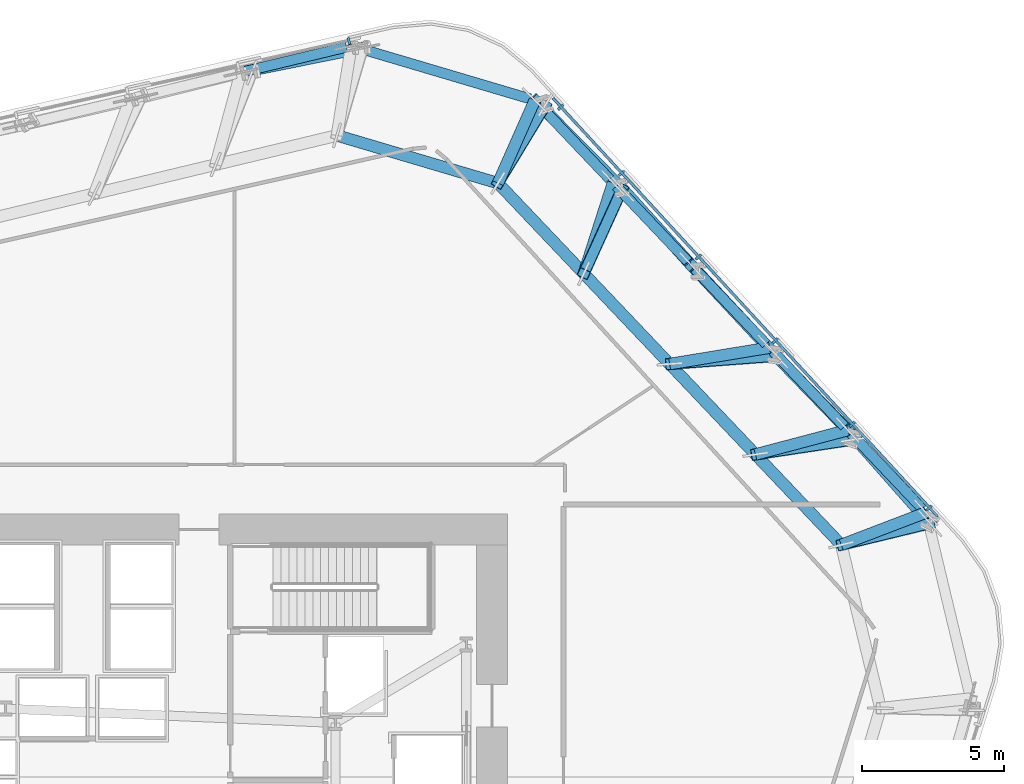
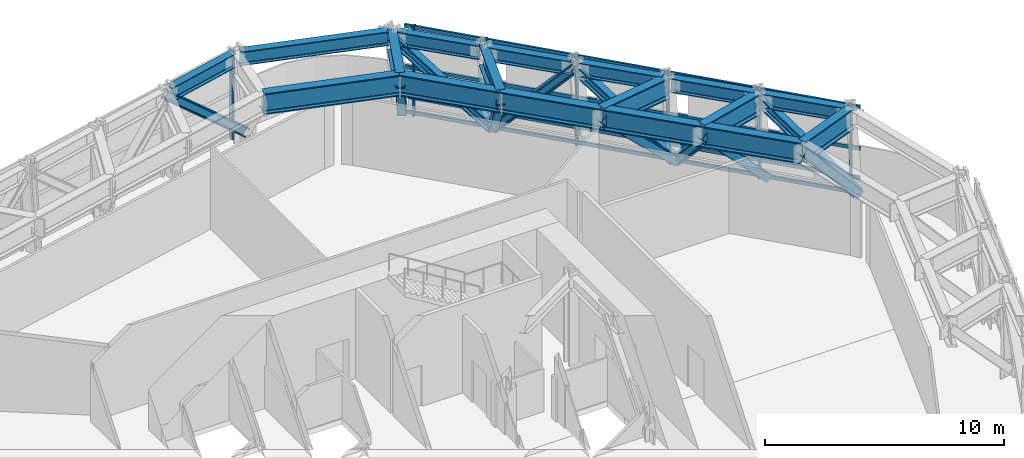
# One storey, part 6 of 16: 22 members, 17 beams, 2 elements without a shape of their own.
"""IFC4 building model written with IfcOpenShell, lengths in metres."""

from ifc_helpers import new_model, si_unit, direction, frame, origin, origin_2d, place, context, subcontext, project, spatial, rectangle, hollow_rectangle, i_section, extrude, material, layer, layer_set, material_profile, profile_set, type_object, element, aggregate, save


model = new_model("IFC4")

# Units and contexts
model_context = context("Model", 3, precision=1e-05, world=origin(), true_north=direction((0.0, 1.0)))
body_context = subcontext(model_context, "Body", "Model", "MODEL_VIEW")
ifc_project = project(units=[si_unit("LENGTHUNIT", "METRE"), si_unit("AREAUNIT", "SQUARE_METRE"), si_unit("VOLUMEUNIT", "CUBIC_METRE"), si_unit("PLANEANGLEUNIT", "RADIAN"), si_unit("MASSUNIT", "GRAM", prefix="KILO")], contexts=[model_context])

# Site, building, storey
site_placement = place(None, origin())
site = spatial("IfcSite", under=ifc_project, at=site_placement, CompositionType="ELEMENT")
building_placement = place(site_placement, origin())
building = spatial("IfcBuilding", under=site, at=building_placement, Name="Valkerne Bourse Tower", CompositionType="ELEMENT")
storey_placement = place(building_placement, frame((0.0, 0.0, 77.199951171875)))
storey = spatial("IfcBuildingStorey", under=building, at=storey_placement, Name="L19", CompositionType="ELEMENT", Elevation=77.199951171875)

# Beams
ifc_material_1 = material(Name="Steel ASTM A992", Category="steel")
ifc_material_profile_1 = material_profile(ifc_material_1, i_section(OverallWidth=0.358154296875, OverallDepth=0.7060546875, WebThickness=0.018310546875, FlangeThickness=0.0302734375, FilletRadius=0.02294921875, at=origin_2d()), Name="W27X178")
ifc_profile_set_1 = profile_set([ifc_material_profile_1], Name="Steel ASTM A992")
beam_type_1 = type_object("IfcBeamType", Name="BM-W27X178", PredefinedType="SPANDREL", material=ifc_profile_set_1)
for number, where, z_axis, x_axis, name in (
    (1, (70.991943359375, 36.41943359375, 4.22705078125), (-0.688333420598, 0.725394445863, 0.0), (-0.725394445863, -0.688333420598, 0.0), "L19 Hexagonal Spandrel Ring Beam 00"),
    (2, (68.2412109375, 39.318115234375, 4.22705078125), (-0.688333420598, 0.725394445863, 0.0), (-0.725394445863, -0.688333420598, 0.0), "L19 Hexagonal Spandrel Ring Beam 01"),
    (3, (65.49072265625, 42.216796875, 4.22705078125), (-0.688366763937, 0.725362804607, 0.0), (-0.725362804607, -0.688366763937, 0.0), "L19 Hexagonal Spandrel Ring Beam 02"),
    (4, (62.739990234375, 45.115234375, 4.22705078125), (-0.688333420598, 0.725394445863, 0.0), (-0.725394445863, -0.688333420598, 0.0), "L19 Hexagonal Spandrel Ring Beam 03"),
    (5, (59.9892578125, 48.013916015625, 4.22705078125), (-0.688333420598, 0.725394445863, 0.0), (-0.725394445863, -0.688333420598, 0.0), "L19 Hexagonal Spandrel Ring Beam 04"),
):
    element("IfcBeam", number, at=place(storey_placement, frame(where, z_axis=z_axis, x_axis=x_axis)), inside=storey, type_object=beam_type_1, Name=name, PredefinedType="SPANDREL", context=body_context, shape_type="SweptSolid", body=[
        extrude(i_section(OverallWidth=0.358154296875, OverallDepth=0.7060546875, WebThickness=0.018310546875, FlangeThickness=0.0302734375, FilletRadius=0.02294921875, at=origin_2d()), origin(), (0.0, 0.0, 1.0), 3.656005859375),
    ])
beam_1_placement = place(storey_placement, frame((57.192626953125, 50.83740234375, 4.22705078125), z_axis=(-0.958812375265, 0.284040189125, 0.0), x_axis=(-0.284040189125, -0.958812375265, 0.0)))
element("IfcBeam", 6, at=beam_1_placement, inside=storey, type_object=beam_type_1, Name="L19 Hexagonal Spandrel Ring Beam 05", PredefinedType="SPANDREL", context=body_context, shape_type="SweptSolid", body=[
    extrude(i_section(OverallWidth=0.358154296875, OverallDepth=0.7060546875, WebThickness=0.018310546875, FlangeThickness=0.0302734375, FilletRadius=0.02294921875, at=origin_2d()), origin(), (0.0, 0.0, 1.0), 6.388916015625),
])
beam_2_placement = place(storey_placement, frame((50.738525390625, 52.66064453125, 4.22705078125), z_axis=(-0.972366688683, -0.233458824506, 0.0), x_axis=(0.233458824506, -0.972366688683, 0.0)))
element("IfcBeam", 7, at=beam_2_placement, inside=storey, type_object=beam_type_1, Name="L19 Hexagonal Spandrel Ring Beam 06", PredefinedType="SPANDREL", context=body_context, shape_type="SweptSolid", body=[
    extrude(i_section(OverallWidth=0.358154296875, OverallDepth=0.7060546875, WebThickness=0.018310546875, FlangeThickness=0.0302734375, FilletRadius=0.02294921875, at=origin_2d()), origin(), (0.0, 0.0, 1.0), 3.656005859375),
])
ifc_material_2 = material(Name="Steel ASTM A913 Grade 65", Category="steel")
ifc_material_profile_2 = material_profile(ifc_material_2, i_section(OverallWidth=0.408935546875, OverallDepth=1.06689453125, WebThickness=0.031005859375, FlangeThickness=0.055908203125, FilletRadius=0.030517578125, at=origin_2d()), Name="W40X397")
ifc_profile_set_2 = profile_set([ifc_material_profile_2], Name="Steel ASTM A913 Grade 65")
beam_type_2 = type_object("IfcBeamType", Name="BM-W40X397", PredefinedType="BEAM", material=ifc_profile_set_2)
beam_3_placement = place(storey_placement, frame((71.10888671875, 36.296142578125, 4.046630859375), z_axis=(-0.934034555736, -0.357182654522, 0.0), x_axis=(0.357182654522, -0.934034555736, 0.0)))
element("IfcBeam", 8, at=beam_3_placement, inside=storey, type_object=beam_type_2, Name="L19 Radial Setback Transfer Girder Out 00", PredefinedType="BEAM", context=body_context, shape_type="SweptSolid", body=[
    extrude(i_section(OverallWidth=0.408935546875, OverallDepth=1.06689453125, WebThickness=0.031005859375, FlangeThickness=0.055908203125, FilletRadius=0.030517578125, at=origin_2d()), origin(), (0.0, 0.0, 1.0), 3.188720703125),
])
beam_4_placement = place(storey_placement, frame((68.130615234375, 35.1572265625, 4.046630859375), z_axis=(-0.688371674661, 0.725358144315, 0.0), x_axis=(-0.725358144315, -0.688371674661, 0.0)))
element("IfcBeam", 9, at=beam_4_placement, inside=storey, type_object=beam_type_2, Name="L19 Setback Ring Transfer Girder 00", PredefinedType="BEAM", context=body_context, shape_type="SweptSolid", body=[
    extrude(i_section(OverallWidth=0.408935546875, OverallDepth=1.06689453125, WebThickness=0.031005859375, FlangeThickness=0.055908203125, FilletRadius=0.030517578125, at=origin_2d()), origin(), (0.0, 0.0, 1.0), 4.383056640625),
])
beam_5_placement = place(storey_placement, frame((68.3583984375, 39.19482421875, 4.046630859375), z_axis=(-0.966744906892, -0.255742614749, 0.0), x_axis=(0.255742614749, -0.966744906892, 0.0)))
element("IfcBeam", 10, at=beam_5_placement, inside=storey, type_object=beam_type_2, Name="L19 Radial Setback Transfer Girder Out 01", PredefinedType="BEAM", context=body_context, shape_type="SweptSolid", body=[
    extrude(i_section(OverallWidth=0.408935546875, OverallDepth=1.06689453125, WebThickness=0.031005859375, FlangeThickness=0.055908203125, FilletRadius=0.030517578125, at=origin_2d()), origin(), (0.0, 0.0, 1.0), 3.3564453125),
])
beam_6_placement = place(storey_placement, frame((65.113525390625, 38.33642578125, 4.046630859375), z_axis=(-0.688343862122, 0.725384537661, 0.0), x_axis=(-0.725384537661, -0.688343862122, 0.0)))
element("IfcBeam", 11, at=beam_6_placement, inside=storey, type_object=beam_type_2, Name="L19 Setback Ring Transfer Girder 01", PredefinedType="BEAM", context=body_context, shape_type="SweptSolid", body=[
    extrude(i_section(OverallWidth=0.408935546875, OverallDepth=1.06689453125, WebThickness=0.031005859375, FlangeThickness=0.055908203125, FilletRadius=0.030517578125, at=origin_2d()), origin(), (0.0, 0.0, 1.0), 4.383056640625),
])
beam_7_placement = place(storey_placement, frame((65.607666015625, 42.093505859375, 4.046630859375), z_axis=(-0.986736653088, -0.162329225505, 0.0), x_axis=(0.162329225505, -0.986736653088, 0.0)))
element("IfcBeam", 12, at=beam_7_placement, inside=storey, type_object=beam_type_2, Name="L19 Radial Setback Transfer Girder Out 02", PredefinedType="BEAM", context=body_context, shape_type="SweptSolid", body=[
    extrude(i_section(OverallWidth=0.408935546875, OverallDepth=1.06689453125, WebThickness=0.031005859375, FlangeThickness=0.055908203125, FilletRadius=0.030517578125, at=origin_2d()), origin(), (0.0, 0.0, 1.0), 3.558349609375),
])
beam_8_placement = place(storey_placement, frame((62.096435546875, 41.515869140625, 4.046630859375), z_axis=(-0.688371674661, 0.725358144315, 0.0), x_axis=(-0.725358144315, -0.688371674661, 0.0)))
element("IfcBeam", 13, at=beam_8_placement, inside=storey, type_object=beam_type_2, Name="L19 Setback Ring Transfer Girder 02", PredefinedType="BEAM", context=body_context, shape_type="SweptSolid", body=[
    extrude(i_section(OverallWidth=0.408935546875, OverallDepth=1.06689453125, WebThickness=0.031005859375, FlangeThickness=0.055908203125, FilletRadius=0.030517578125, at=origin_2d()), origin(), (0.0, 0.0, 1.0), 4.383056640625),
])
beam_9_placement = place(storey_placement, frame((60.106201171875, 47.890625, 4.046630859375), z_axis=(-0.305931481229, -0.952053532525, 0.0), x_axis=(0.952053532525, -0.305931481229, 0.0)))
element("IfcBeam", 14, at=beam_9_placement, inside=storey, type_object=beam_type_2, Name="L19 Radial Setback Transfer Girder Out 03", PredefinedType="BEAM", context=body_context, shape_type="SweptSolid", body=[
    extrude(i_section(OverallWidth=0.408935546875, OverallDepth=1.06689453125, WebThickness=0.031005859375, FlangeThickness=0.055908203125, FilletRadius=0.030517578125, at=origin_2d()), origin(), (0.0, 0.0, 1.0), 3.3564453125),
])
beam_10_placement = place(storey_placement, frame((59.079345703125, 44.695068359375, 4.046630859375), z_axis=(-0.68831455192, 0.725412350057, 0.0), x_axis=(-0.725412350057, -0.68831455192, 0.0)))
element("IfcBeam", 15, at=beam_10_placement, inside=storey, type_object=beam_type_2, Name="L19 Setback Ring Transfer Girder 03", PredefinedType="BEAM", context=body_context, shape_type="SweptSolid", body=[
    extrude(i_section(OverallWidth=0.408935546875, OverallDepth=1.06689453125, WebThickness=0.031005859375, FlangeThickness=0.055908203125, FilletRadius=0.030517578125, at=origin_2d()), origin(), (0.0, 0.0, 1.0), 4.383056640625),
])
beam_11_placement = place(storey_placement, frame((57.355712890625, 50.789306640625, 4.046630859375), z_axis=(-0.405548775387, -0.914073405577, 0.0), x_axis=(0.914073405577, -0.405548775387, 0.0)))
element("IfcBeam", 16, at=beam_11_placement, inside=storey, type_object=beam_type_2, Name="L19 Radial Setback Transfer Girder Out 04", PredefinedType="BEAM", context=body_context, shape_type="SweptSolid", body=[
    extrude(i_section(OverallWidth=0.408935546875, OverallDepth=1.06689453125, WebThickness=0.031005859375, FlangeThickness=0.055908203125, FilletRadius=0.030517578125, at=origin_2d()), origin(), (0.0, 0.0, 1.0), 3.188720703125),
])
beam_12_placement = place(storey_placement, frame((56.0625, 47.87451171875, 4.046630859375), z_axis=(-0.958821884806, 0.284008086534, 0.0), x_axis=(-0.284008086534, -0.958821884806, 0.0)))
element("IfcBeam", 17, at=beam_12_placement, inside=storey, type_object=beam_type_2, Name="L19 Setback Ring Transfer Girder 04", PredefinedType="BEAM", context=body_context, shape_type="SweptSolid", body=[
    extrude(i_section(OverallWidth=0.408935546875, OverallDepth=1.06689453125, WebThickness=0.031005859375, FlangeThickness=0.055908203125, FilletRadius=0.030517578125, at=origin_2d()), origin(), (0.0, 0.0, 1.0), 5.90478515625),
])

# Curtain wall, members
ifc_material_3 = material(Name="Aluminium AA 6063-T6", Category="aluminium")
ifc_layer = layer(ifc_material_3, 0.25)
ifc_layer_set = layer_set([ifc_layer], Name="Aluminium AA 6063-T6")
curtain_wall_type = type_object("IfcCurtainWallType", Name="CW-06", PredefinedType="NOTDEFINED", material=ifc_layer_set)
curtain_wall_1_placement = place(storey_placement, origin())
curtain_wall_1 = element("IfcCurtainWall", 18, at=curtain_wall_1_placement, inside=storey, type_object=curtain_wall_type, Name="L19 Hexagonal Stick Curtain Wall Face 1", PredefinedType="NOTDEFINED")
ifc_material_profile_3 = material_profile(ifc_material_3, rectangle(XDim=0.090087890625, YDim=0.239990234375, at=origin_2d()), Name="CWM-90X240")
ifc_profile_set_3 = profile_set([ifc_material_profile_3], Name="Aluminium AA 6063-T6")
member_type_1 = type_object("IfcMemberType", Name="CW-MUL-240X90", PredefinedType="MULLION", material=ifc_profile_set_3)
member_1_placement = place(storey_placement, frame((71.218017578125, 36.452392578125, 0.0), z_axis=(0.0, 0.0, 1.0), x_axis=(-0.676869473873, 0.73610306027, 0.0)))
member_1 = element("IfcMember", 19, at=member_1_placement, type_object=member_type_1, Name="CW-L19-F1 Jamb Mullion 00A", PredefinedType="MULLION", context=body_context, shape_type="SweptSolid", body=[
    extrude(rectangle(XDim=0.090087890625, YDim=0.239990234375, at=origin_2d()), origin(), (0.0, 0.0, 1.0), 4.580078125),
])
member_2_placement = place(storey_placement, frame((68.51318359375, 39.39404296875, 0.0), z_axis=(0.0, 0.0, 1.0), x_axis=(-0.676881942481, 0.736091594805, 0.0)))
member_2 = element("IfcMember", 20, at=member_2_placement, type_object=member_type_1, Name="CW-L19-F1 Jamb Mullion 01A", PredefinedType="MULLION", context=body_context, shape_type="SweptSolid", body=[
    extrude(rectangle(XDim=0.090087890625, YDim=0.239990234375, at=origin_2d()), origin(), (0.0, 0.0, 1.0), 4.580078125),
])
member_3_placement = place(storey_placement, frame((65.808349609375, 42.33544921875, 0.0), z_axis=(0.0, 0.0, 1.0), x_axis=(-0.676881942481, 0.736091594805, 0.0)))
member_3 = element("IfcMember", 21, at=member_3_placement, type_object=member_type_1, Name="CW-L19-F1 Jamb Mullion 02A", PredefinedType="MULLION", context=body_context, shape_type="SweptSolid", body=[
    extrude(rectangle(XDim=0.090087890625, YDim=0.239990234375, at=origin_2d()), origin(), (0.0, 0.0, 1.0), 4.580078125),
])
member_4_placement = place(storey_placement, frame((63.103515625, 45.27685546875, 0.0), z_axis=(0.0, 0.0, 1.0), x_axis=(-0.676869473873, 0.73610306027, 0.0)))
member_4 = element("IfcMember", 22, at=member_4_placement, type_object=member_type_1, Name="CW-L19-F1 Jamb Mullion 03A", PredefinedType="MULLION", context=body_context, shape_type="SweptSolid", body=[
    extrude(rectangle(XDim=0.090087890625, YDim=0.239990234375, at=origin_2d()), origin(), (0.0, 0.0, 1.0), 4.580078125),
])
member_5_placement = place(storey_placement, frame((60.398681640625, 48.21826171875, 0.0), z_axis=(0.0, 0.0, 1.0), x_axis=(-0.676881942481, 0.736091594805, 0.0)))
member_5 = element("IfcMember", 23, at=member_5_placement, type_object=member_type_1, Name="CW-L19-F1 Jamb Mullion 04A", PredefinedType="MULLION", context=body_context, shape_type="SweptSolid", body=[
    extrude(rectangle(XDim=0.090087890625, YDim=0.239990234375, at=origin_2d()), origin(), (0.0, 0.0, 1.0), 4.580078125),
])
member_6_placement = place(storey_placement, frame((58.2626953125, 50.54150390625, 0.0), z_axis=(0.0, 0.0, 1.0), x_axis=(-0.676881942481, 0.736091594805, 0.0)))
member_6 = element("IfcMember", 24, at=member_6_placement, type_object=member_type_1, Name="CW-L19-F1 Jamb Mullion 04B", PredefinedType="MULLION", context=body_context, shape_type="SweptSolid", body=[
    extrude(rectangle(XDim=0.090087890625, YDim=0.239990234375, at=origin_2d()), origin(), (0.0, 0.0, 1.0), 4.580078125),
])

# Curtain wall, member
curtain_wall_2_placement = place(storey_placement, origin())
curtain_wall_2 = element("IfcCurtainWall", 25, at=curtain_wall_2_placement, inside=storey, type_object=curtain_wall_type, Name="L19 Hexagonal Stick Curtain Wall Face 2", PredefinedType="NOTDEFINED")
member_7_placement = place(storey_placement, frame((50.82275390625, 52.872802734375, 0.0), z_axis=(0.0, 0.0, 1.0), x_axis=(-0.975916028069, -0.218146524516, 0.0)))
member_7 = element("IfcMember", 26, at=member_7_placement, type_object=member_type_1, Name="CW-L19-F2 Jamb Mullion 00A", PredefinedType="MULLION", context=body_context, shape_type="SweptSolid", body=[
    extrude(rectangle(XDim=0.090087890625, YDim=0.239990234375, at=origin_2d()), origin(), (0.0, 0.0, 1.0), 4.580078125),
])
aggregate(curtain_wall_2, [member_7])

# Member
ifc_material_profile_4 = material_profile(ifc_material_3, rectangle(XDim=0.090087890625, YDim=0.179931640625, at=origin_2d()), Name="CWT-90X180")
ifc_profile_set_4 = profile_set([ifc_material_profile_4], Name="Aluminium AA 6063-T6")
member_type_2 = type_object("IfcMemberType", Name="CW-TRN-180X90", PredefinedType="USERDEFINED", material=ifc_profile_set_4)
member_8_placement = place(storey_placement, frame((71.51708984375, 36.156982421875, 0.1201171875), z_axis=(-0.67688577124, 0.736088074005, 0.0), x_axis=(-0.736088074005, -0.67688577124, 0.0)))
member_8 = element("IfcMember", 27, at=member_8_placement, type_object=member_type_2, Name="CW-L19-F1 Continuous Face Transom 1", ObjectType="TRANSOM", PredefinedType="USERDEFINED", context=body_context, shape_type="SweptSolid", body=[
    extrude(rectangle(XDim=0.090087890625, YDim=0.179931640625, at=origin_2d()), origin(), (0.0, 0.0, 1.0), 19.97998046875),
])

member_9_placement = place(storey_placement, frame((71.51708984375, 36.156982421875, 0.900146484375), z_axis=(-0.67688577124, 0.736088074005, 0.0), x_axis=(-0.736088074005, -0.67688577124, 0.0)))
member_9 = element("IfcMember", 28, at=member_9_placement, type_object=member_type_2, Name="CW-L19-F1 Continuous Face Transom 2", ObjectType="TRANSOM", PredefinedType="USERDEFINED", context=body_context, shape_type="SweptSolid", body=[
    extrude(rectangle(XDim=0.090087890625, YDim=0.179931640625, at=origin_2d()), origin(), (0.0, 0.0, 1.0), 19.97998046875),
])

member_10_placement = place(storey_placement, frame((71.51708984375, 36.156982421875, 2.400146484375), z_axis=(-0.67688577124, 0.736088074005, 0.0), x_axis=(-0.736088074005, -0.67688577124, 0.0)))
member_10 = element("IfcMember", 29, at=member_10_placement, type_object=member_type_2, Name="CW-L19-F1 Continuous Face Transom 3", ObjectType="TRANSOM", PredefinedType="USERDEFINED", context=body_context, shape_type="SweptSolid", body=[
    extrude(rectangle(XDim=0.090087890625, YDim=0.179931640625, at=origin_2d()), origin(), (0.0, 0.0, 1.0), 19.97998046875),
])

member_11_placement = place(storey_placement, frame((71.51708984375, 36.156982421875, 4.5), z_axis=(-0.67688577124, 0.736088074005, 0.0), x_axis=(-0.736088074005, -0.67688577124, 0.0)))
member_11 = element("IfcMember", 30, at=member_11_placement, type_object=member_type_2, Name="CW-L19-F1 Continuous Face Transom 4", ObjectType="TRANSOM", PredefinedType="USERDEFINED", context=body_context, shape_type="SweptSolid", body=[
    extrude(rectangle(XDim=0.090087890625, YDim=0.179931640625, at=origin_2d()), origin(), (0.0, 0.0, 1.0), 19.97998046875),
])

aggregate(curtain_wall_1, [member_8, member_9, member_10, member_11, member_1, member_2, member_3, member_4, member_5, member_6])

# Members
ifc_material_4 = material(Name="Steel ASTM A500 Grade C", Category="steel")
ifc_material_profile_5 = material_profile(ifc_material_4, hollow_rectangle(XDim=0.39990234375, YDim=0.39990234375, WallThickness=0.01611328125, OuterFilletRadius=0.031982421875, at=origin_2d()), Name="HSS400X400X16")
ifc_profile_set_5 = profile_set([ifc_material_profile_5], Name="Steel ASTM A500 Grade C")
member_type_3 = type_object("IfcMemberType", Name="MBR-HSS400X400X16", PredefinedType="BRACE", material=ifc_profile_set_5)
member_12_placement = place(storey_placement, frame((71.251953125, 35.9130859375, 0.35009765625), z_axis=(-0.637426919159, -0.154358524968, 0.754890964644), x_axis=(0.23535633389, -0.971909150126, 0.0)))
element("IfcMember", 31, at=member_12_placement, inside=storey, type_object=member_type_3, Name="L19 Setback Outrigger Knee Strut 00", PredefinedType="BRACE", context=body_context, shape_type="SweptSolid", body=[
    extrude(hollow_rectangle(XDim=0.39990234375, YDim=0.39990234375, WallThickness=0.01611328125, OuterFilletRadius=0.031982421875, at=origin_2d()), origin(), (0.0, 0.0, 1.0), 4.896728515625),
])
member_13_placement = place(storey_placement, frame((68.547119140625, 38.854736328125, 0.35009765625), z_axis=(-0.677004778985, -0.102195758375, 0.728848788297), x_axis=(0.1492617713, -0.988797716233, 0.0)))
element("IfcMember", 32, at=member_13_placement, inside=storey, type_object=member_type_3, Name="L19 Setback Outrigger Knee Strut 01", PredefinedType="BRACE", context=body_context, shape_type="SweptSolid", body=[
    extrude(hollow_rectangle(XDim=0.39990234375, YDim=0.39990234375, WallThickness=0.01611328125, OuterFilletRadius=0.031982421875, at=origin_2d()), origin(), (0.0, 0.0, 1.0), 5.07177734375),
])
member_14_placement = place(storey_placement, frame((65.84228515625, 41.796142578125, 0.35009765625), z_axis=(-0.710769485063, -0.053181474865, 0.701411769102), x_axis=(0.0746138274, -0.997212503311, 0.0)))
element("IfcMember", 33, at=member_14_placement, inside=storey, type_object=member_type_3, Name="L19 Setback Outrigger Knee Strut 02", PredefinedType="BRACE", context=body_context, shape_type="SweptSolid", body=[
    extrude(hollow_rectangle(XDim=0.39990234375, YDim=0.39990234375, WallThickness=0.01611328125, OuterFilletRadius=0.031982421875, at=origin_2d()), origin(), (0.0, 0.0, 1.0), 5.27001953125),
])
member_15_placement = place(storey_placement, frame((60.432861328125, 47.678955078125, 0.35009765625), z_axis=(-0.274011553352, -0.604070924434, 0.748342158964), x_axis=(0.910687727767, -0.413095464142, 0.0)))
element("IfcMember", 34, at=member_15_placement, inside=storey, type_object=member_type_3, Name="L19 Setback Outrigger Knee Strut 03", PredefinedType="BRACE", context=body_context, shape_type="SweptSolid", body=[
    extrude(hollow_rectangle(XDim=0.39990234375, YDim=0.39990234375, WallThickness=0.01611328125, OuterFilletRadius=0.031982421875, at=origin_2d()), origin(), (0.0, 0.0, 1.0), 4.939697265625),
])
member_16_placement = place(storey_placement, frame((57.72802734375, 50.620361328125, 0.35009765625), z_axis=(-0.340130067568, -0.560750933735, 0.754897295962), x_axis=(0.85500784935, -0.518615057195, 0.0)))
element("IfcMember", 35, at=member_16_placement, inside=storey, type_object=member_type_3, Name="L19 Setback Outrigger Knee Strut 04", PredefinedType="BRACE", context=body_context, shape_type="SweptSolid", body=[
    extrude(hollow_rectangle(XDim=0.39990234375, YDim=0.39990234375, WallThickness=0.01611328125, OuterFilletRadius=0.031982421875, at=origin_2d()), origin(), (0.0, 0.0, 1.0), 4.896728515625),
])
ifc_material_profile_6 = material_profile(ifc_material_2, i_section(OverallWidth=0.408935546875, OverallDepth=0.42431640625, WebThickness=0.03271484375, FlangeThickness=0.052490234375, FilletRadius=0.025390625, at=origin_2d()), Name="W14X283")
ifc_profile_set_6 = profile_set([ifc_material_profile_6], Name="Steel ASTM A913 Grade 65")
member_type_4 = type_object("IfcMemberType", Name="MBR-W14X283", PredefinedType="BRACE", material=ifc_profile_set_6)
member_17_placement = place(storey_placement, frame((71.251953125, 35.9130859375, 0.35009765625), z_axis=(-0.494816670983, 0.561198590226, 0.663485195348), x_axis=(-0.750075557824, -0.661352143381, 0.0)))
element("IfcMember", 36, at=member_17_placement, inside=storey, type_object=member_type_4, Name="L19 Perimeter Belt Truss Diagonal 00", PredefinedType="BRACE", context=body_context, shape_type="SweptSolid", body=[
    extrude(i_section(OverallWidth=0.408935546875, OverallDepth=0.42431640625, WebThickness=0.03271484375, FlangeThickness=0.052490234375, FilletRadius=0.025390625, at=origin_2d()), origin(), (0.0, 0.0, 1.0), 5.84765625),
])
member_18_placement = place(storey_placement, frame((65.84228515625, 41.796142578125, 0.35009765625), z_axis=(0.474222259492, -0.49028121239, 0.731257534238), x_axis=(0.718780463383, 0.695237114558, 0.0)))
element("IfcMember", 37, at=member_18_placement, inside=storey, type_object=member_type_4, Name="L19 Perimeter Belt Truss Diagonal 01", PredefinedType="BRACE", context=body_context, shape_type="SweptSolid", body=[
    extrude(i_section(OverallWidth=0.408935546875, OverallDepth=0.42431640625, WebThickness=0.03271484375, FlangeThickness=0.052490234375, FilletRadius=0.025390625, at=origin_2d()), origin(), (0.0, 0.0, 1.0), 5.3056640625),
])
member_19_placement = place(storey_placement, frame((65.84228515625, 41.796142578125, 0.35009765625), z_axis=(-0.510641465488, 0.546638598564, 0.663650161067), x_axis=(-0.730758169219, -0.682636431872, 0.0)))
element("IfcMember", 38, at=member_19_placement, inside=storey, type_object=member_type_4, Name="L19 Perimeter Belt Truss Diagonal 02", PredefinedType="BRACE", context=body_context, shape_type="SweptSolid", body=[
    extrude(i_section(OverallWidth=0.408935546875, OverallDepth=0.42431640625, WebThickness=0.03271484375, FlangeThickness=0.052490234375, FilletRadius=0.025390625, at=origin_2d()), origin(), (0.0, 0.0, 1.0), 5.84619140625),
])
member_20_placement = place(storey_placement, frame((60.432861328125, 47.678955078125, 0.35009765625), z_axis=(0.456887283994, -0.50644591073, 0.731277340843), x_axis=(0.742501956043, 0.669843896197, 0.0)))
element("IfcMember", 39, at=member_20_placement, inside=storey, type_object=member_type_4, Name="L19 Perimeter Belt Truss Diagonal 03", PredefinedType="BRACE", context=body_context, shape_type="SweptSolid", body=[
    extrude(i_section(OverallWidth=0.408935546875, OverallDepth=0.42431640625, WebThickness=0.03271484375, FlangeThickness=0.052490234375, FilletRadius=0.025390625, at=origin_2d()), origin(), (0.0, 0.0, 1.0), 5.3056640625),
])
member_21_placement = place(storey_placement, frame((60.432861328125, 47.678955078125, 0.35009765625), z_axis=(-0.526207283884, 0.531885179045, 0.663478749245), x_axis=(-0.710890995229, -0.703302205955, 0.0)))
element("IfcMember", 40, at=member_21_placement, inside=storey, type_object=member_type_4, Name="L19 Perimeter Belt Truss Diagonal 04", PredefinedType="BRACE", context=body_context, shape_type="SweptSolid", body=[
    extrude(i_section(OverallWidth=0.408935546875, OverallDepth=0.42431640625, WebThickness=0.03271484375, FlangeThickness=0.052490234375, FilletRadius=0.025390625, at=origin_2d()), origin(), (0.0, 0.0, 1.0), 5.847900390625),
])
member_22_placement = place(storey_placement, frame((51.306884765625, 52.6328125, 0.35009765625), z_axis=(-0.733395161337, -0.147964957974, 0.663504264145), x_axis=(0.197768506259, -0.980248753089, 0.0)))
element("IfcMember", 41, at=member_22_placement, inside=storey, type_object=member_type_4, Name="L19 Perimeter Belt Truss Diagonal 06", PredefinedType="BRACE", context=body_context, shape_type="SweptSolid", body=[
    extrude(i_section(OverallWidth=0.408935546875, OverallDepth=0.42431640625, WebThickness=0.03271484375, FlangeThickness=0.052490234375, FilletRadius=0.025390625, at=origin_2d()), origin(), (0.0, 0.0, 1.0), 5.84765625),
])

save(model, "model.ifc")
